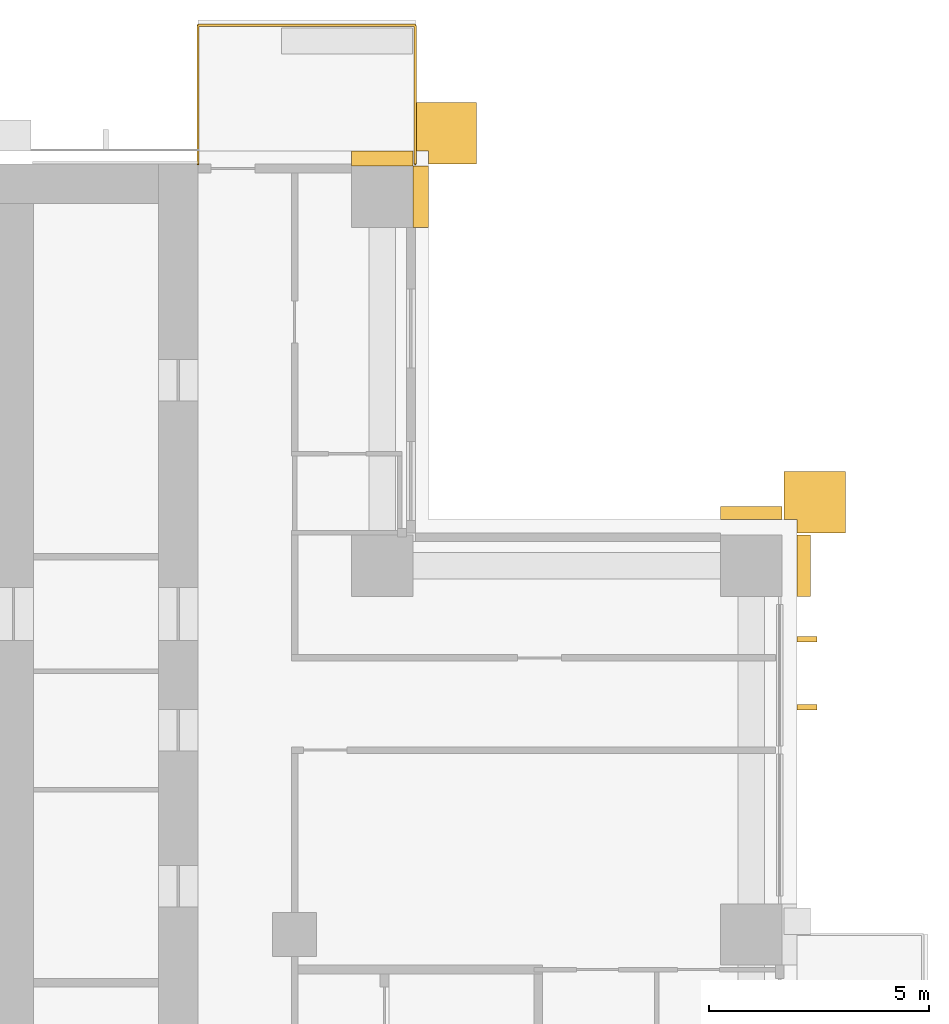
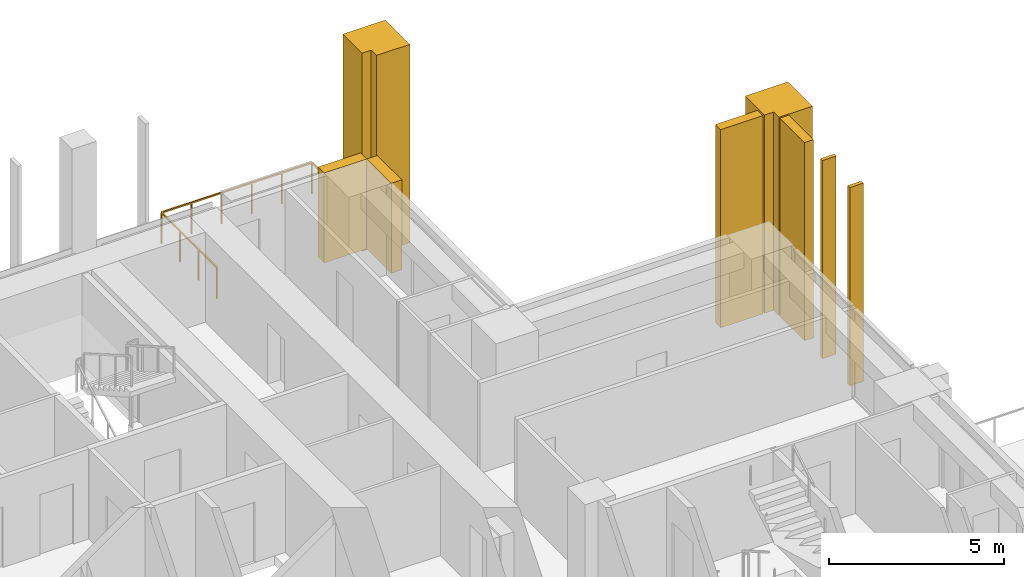
# One storey, part 19 of 19: 8 coverings, 1 railing.
"""IFC4 building model written with IfcOpenShell, lengths in metres."""

from ifc_helpers import new_model, si_unit, direction, frame, origin, origin_2d, place, context, subcontext, project, spatial, polyline, rectangle, outline, extrude, material, layer, layer_set, type_object, element, save


model = new_model("IFC4")

# Units and contexts
model_context = context("Model", 3, precision=1e-05, world=origin(), true_north=direction((0.0, 1.0)))
body_context = subcontext(model_context, "Body", "Model", "MODEL_VIEW")
ifc_project = project(units=[si_unit("LENGTHUNIT", "METRE"), si_unit("AREAUNIT", "SQUARE_METRE"), si_unit("VOLUMEUNIT", "CUBIC_METRE"), si_unit("PLANEANGLEUNIT", "RADIAN"), si_unit("MASSUNIT", "GRAM", prefix="KILO")], contexts=[model_context])

# Site, building, storey
site_placement = place(None, origin())
site = spatial("IfcSite", under=ifc_project, at=site_placement, CompositionType="ELEMENT")
building_placement = place(site_placement, origin())
building = spatial("IfcBuilding", under=site, at=building_placement, Name="Vermilion Ogive Tower", CompositionType="ELEMENT")
storey_placement = place(building_placement, frame((0.0, 0.0, 48.300048828125)))
storey = spatial("IfcBuildingStorey", under=building, at=storey_placement, Name="L10", CompositionType="ELEMENT", Elevation=48.300048828125)

# Railing
ifc_material_1 = material(Name="Stainless steel and glass", Category="steel")
railing_type = type_object("IfcRailingType", Name="Balcony guard", PredefinedType="GUARDRAIL", material=ifc_material_1)
railing_placement = place(storey_placement, frame((17.550048828125, 21.75, -0.0400390625)))
element("IfcRailing", 1, at=railing_placement, inside=storey, type_object=railing_type, Name="Guard N101", PredefinedType="GUARDRAIL", context=body_context, shape_type="SweptSolid", body=[
    extrude(rectangle(XDim=0.048095703125, YDim=0.048095703125, at=origin_2d()), frame((0.0, 0.0, 1.076171875), z_axis=(0.0, 1.0, 0.0), x_axis=(-1.0, 0.0, 0.0)), (0.0, 0.0, 1.0), 3.159912109375),
    extrude(rectangle(XDim=0.048095703125, YDim=0.048095703125, at=origin_2d()), frame((0.0, 3.159912109375, 1.076171875), z_axis=(-1.0, 0.0, 0.0), x_axis=(0.0, -1.0, 0.0)), (0.0, 0.0, 1.0), 4.949951171875),
    extrude(rectangle(XDim=0.048095703125, YDim=0.048095703125, at=origin_2d()), frame((-4.949951171875, 3.159912109375, 1.076171875), z_axis=(0.0, -1.0, 0.0), x_axis=(1.0, 0.0, 0.0)), (0.0, 0.0, 1.0), 3.159912109375),
    extrude(rectangle(XDim=0.0419921875, YDim=0.0419921875, at=origin_2d()), origin(), (0.0, 0.0, 1.0), 1.052001953125),
    extrude(rectangle(XDim=0.0419921875, YDim=0.0419921875, at=origin_2d()), frame((0.0, 1.05322265625, 0.0)), (0.0, 0.0, 1.0), 1.052001953125),
    extrude(rectangle(XDim=0.0419921875, YDim=0.0419921875, at=origin_2d()), frame((0.0, 2.106689453125, 0.0)), (0.0, 0.0, 1.0), 1.052001953125),
    extrude(rectangle(XDim=0.0419921875, YDim=0.0419921875, at=origin_2d()), frame((0.0, 3.159912109375, 0.0)), (0.0, 0.0, 1.0), 1.052001953125),
    extrude(rectangle(XDim=0.0419921875, YDim=0.0419921875, at=origin_2d()), frame((-0.989990234375, 3.159912109375, 0.0)), (0.0, 0.0, 1.0), 1.052001953125),
    extrude(rectangle(XDim=0.0419921875, YDim=0.0419921875, at=origin_2d()), frame((-1.97998046875, 3.159912109375, 0.0)), (0.0, 0.0, 1.0), 1.052001953125),
    extrude(rectangle(XDim=0.0419921875, YDim=0.0419921875, at=origin_2d()), frame((-2.969970703125, 3.159912109375, 0.0)), (0.0, 0.0, 1.0), 1.052001953125),
    extrude(rectangle(XDim=0.0419921875, YDim=0.0419921875, at=origin_2d()), frame((-3.9599609375, 3.159912109375, 0.0)), (0.0, 0.0, 1.0), 1.052001953125),
    extrude(rectangle(XDim=0.0419921875, YDim=0.0419921875, at=origin_2d()), frame((-4.949951171875, 3.159912109375, 0.0)), (0.0, 0.0, 1.0), 1.052001953125),
    extrude(rectangle(XDim=0.0419921875, YDim=0.0419921875, at=origin_2d()), frame((-4.949951171875, 2.106689453125, 0.0)), (0.0, 0.0, 1.0), 1.052001953125),
    extrude(rectangle(XDim=0.0419921875, YDim=0.0419921875, at=origin_2d()), frame((-4.949951171875, 1.05322265625, 0.0)), (0.0, 0.0, 1.0), 1.052001953125),
    extrude(rectangle(XDim=0.0419921875, YDim=0.0419921875, at=origin_2d()), frame((-4.949951171875, 0.0, 0.0)), (0.0, 0.0, 1.0), 1.052001953125),
])

# Coverings
ifc_material_2 = material(Name="Glazed ceramic screen")
ifc_layer = layer(ifc_material_2, 0.14990234375)
ifc_layer_set = layer_set([ifc_layer], Name="Ceramic solar screen fin")
covering_type_1 = type_object("IfcCoveringType", Name="Ceramic solar screen fin", PredefinedType="CLADDING", material=ifc_layer_set)
covering_1_placement = place(storey_placement, frame((0.0, 0.0, -0.320068359375)))
element("IfcCovering", 2, at=covering_1_placement, inside=storey, type_object=covering_type_1, Name="Solar screen blade E021", PredefinedType="CLADDING", context=body_context, shape_type="SweptSolid", body=[
    extrude(outline(polyline([(26.699951171875, 9.31494140625), (26.699951171875, 9.43505859375), (26.25, 9.43505859375), (26.25, 9.31494140625), (26.699951171875, 9.31494140625)])), origin(), (0.0, 0.0, 1.0), 6.89990234375),
])
covering_2_placement = place(storey_placement, frame((0.0, 0.0, -0.320068359375)))
element("IfcCovering", 3, at=covering_2_placement, inside=storey, type_object=covering_type_1, Name="Solar screen blade E022", PredefinedType="CLADDING", context=body_context, shape_type="SweptSolid", body=[
    extrude(outline(polyline([(26.699951171875, 10.864990234375), (26.699951171875, 10.985107421875), (26.25, 10.985107421875), (26.25, 10.864990234375), (26.699951171875, 10.864990234375)])), origin(), (0.0, 0.0, 1.0), 6.89990234375),
])
ifc_material_3 = material(Name="Stone cladding", Category="masonry")
covering_type_2 = type_object("IfcCoveringType", Name="Stone corner buttress", PredefinedType="CLADDING", material=ifc_material_3)
covering_3_placement = place(storey_placement, frame((0.0, 0.0, -0.320068359375)))
element("IfcCovering", 4, at=covering_3_placement, inside=storey, type_object=covering_type_2, Name="Stone corner buttress X31", PredefinedType="CLADDING", context=body_context, shape_type="SweptSolid", body=[
    extrude(outline(polyline([(26.25, 13.35009765625), (26.25, 13.64990234375), (25.949951171875, 13.64990234375), (25.949951171875, 14.75), (27.35009765625, 14.75), (27.35009765625, 13.35009765625), (26.25, 13.35009765625)])), origin(), (0.0, 0.0, 1.0), 6.89990234375),
])
covering_4_placement = place(storey_placement, frame((0.0, 0.0, -0.320068359375)))
element("IfcCovering", 5, at=covering_4_placement, inside=storey, type_object=covering_type_2, Name="Stone corner buttress N11", PredefinedType="CLADDING", context=body_context, shape_type="SweptSolid", body=[
    extrude(outline(polyline([(17.85009765625, 22.050048828125), (17.550048828125, 22.050048828125), (17.550048828125, 23.14990234375), (18.949951171875, 23.14990234375), (18.949951171875, 21.75), (17.85009765625, 21.75), (17.85009765625, 22.050048828125)])), origin(), (0.0, 0.0, 1.0), 6.89990234375),
])
ifc_material_4 = material(Name="Stone cladding", Category="masonry")
covering_type_3 = type_object("IfcCoveringType", Name="Stone pier", PredefinedType="CLADDING", material=ifc_material_4)
covering_5_placement = place(storey_placement, frame((0.0, 0.0, -0.320068359375)))
element("IfcCovering", 6, at=covering_5_placement, inside=storey, type_object=covering_type_3, Name="Stone pier P+0252+126E", PredefinedType="CLADDING", context=body_context, shape_type="SweptSolid", body=[
    extrude(outline(polyline([(26.550048828125, 13.300048828125), (26.550048828125, 11.89990234375), (26.25, 11.89990234375), (26.25, 13.300048828125), (26.550048828125, 13.300048828125)])), origin(), (0.0, 0.0, 1.0), 6.89990234375),
])
covering_6_placement = place(storey_placement, frame((0.0, 0.0, -0.320068359375)))
element("IfcCovering", 7, at=covering_6_placement, inside=storey, type_object=covering_type_3, Name="Stone pier P+0252+126X3", PredefinedType="CLADDING", context=body_context, shape_type="SweptSolid", body=[
    extrude(outline(polyline([(25.89990234375, 13.949951171875), (25.89990234375, 13.64990234375), (24.5, 13.64990234375), (24.5, 13.949951171875), (25.89990234375, 13.949951171875)])), origin(), (0.0, 0.0, 1.0), 6.89990234375),
])
covering_7_placement = place(storey_placement, origin())
element("IfcCovering", 8, at=covering_7_placement, inside=storey, type_object=covering_type_3, Name="Stone pier P+0168+210X4", PredefinedType="CLADDING", context=body_context, shape_type="SweptSolid", body=[
    extrude(outline(polyline([(17.85009765625, 21.699951171875), (17.85009765625, 20.300048828125), (17.5, 20.300048828125), (17.5, 21.699951171875), (17.85009765625, 21.699951171875)])), origin(), (0.0, 0.0, 1.0), 3.1298828125),
])
covering_8_placement = place(storey_placement, origin())
element("IfcCovering", 9, at=covering_8_placement, inside=storey, type_object=covering_type_3, Name="Stone pier P+0168+210N1", PredefinedType="CLADDING", context=body_context, shape_type="SweptSolid", body=[
    extrude(outline(polyline([(17.5, 22.050048828125), (17.5, 21.699951171875), (16.10009765625, 21.699951171875), (16.10009765625, 22.050048828125), (17.5, 22.050048828125)])), origin(), (0.0, 0.0, 1.0), 3.1298828125),
])

save(model, "model.ifc")
